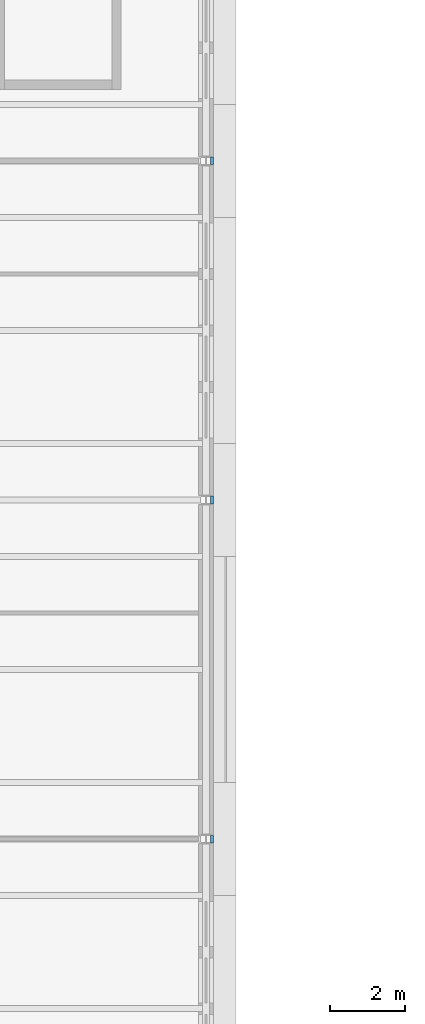
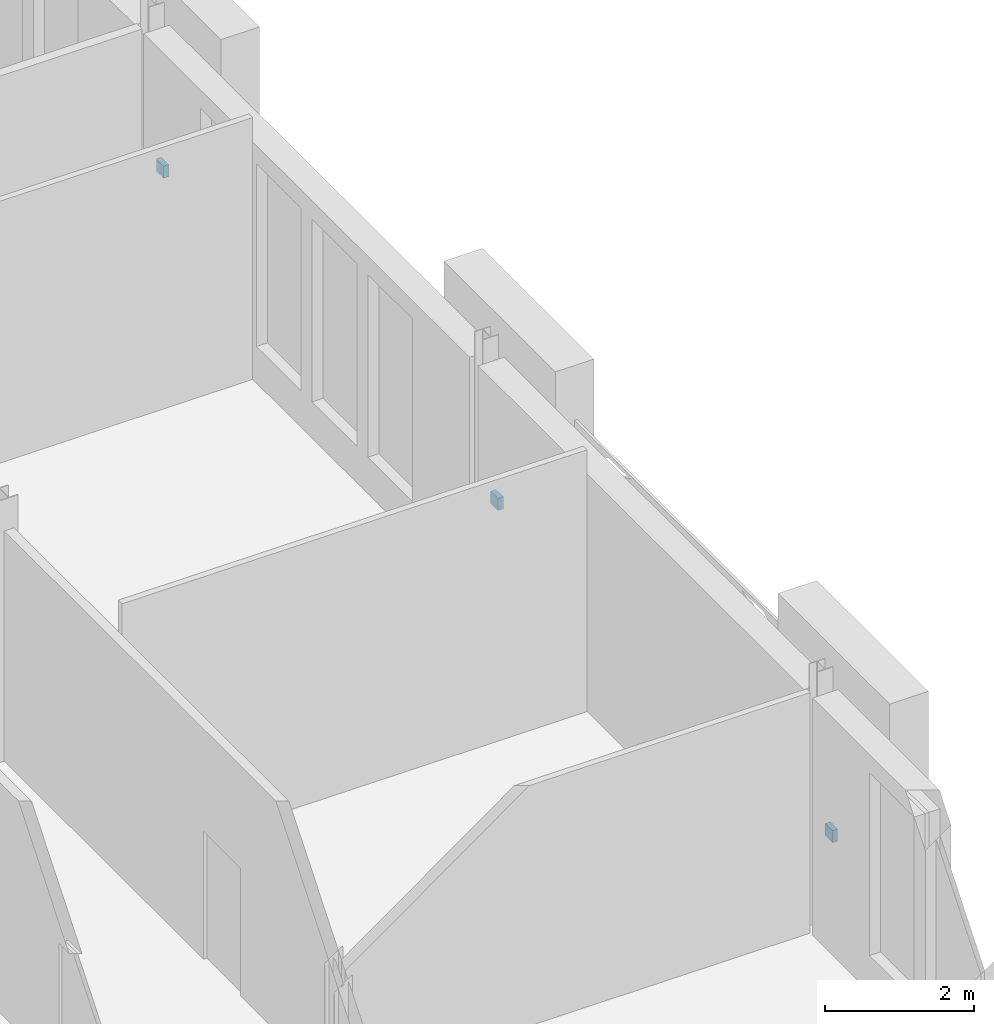
# One storey, part 103 of 131: 3 discrete accessories.
"""IFC4 building model written with IfcOpenShell, lengths in metres."""

from ifc_helpers import new_model, si_unit, direction, frame, origin, origin_2d, place, context, subcontext, project, spatial, rectangle, extrude, material, type_object, element, save


model = new_model("IFC4")

# Units and contexts
model_context = context("Model", 3, precision=1e-05, world=origin(), true_north=direction((0.0, 1.0)))
body_context = subcontext(model_context, "Body", "Model", "MODEL_VIEW")
ifc_project = project(units=[si_unit("LENGTHUNIT", "METRE"), si_unit("AREAUNIT", "SQUARE_METRE"), si_unit("VOLUMEUNIT", "CUBIC_METRE"), si_unit("PLANEANGLEUNIT", "RADIAN"), si_unit("MASSUNIT", "GRAM", prefix="KILO")], contexts=[model_context])

# Site, building, storey
site_placement = place(None, origin())
site = spatial("IfcSite", under=ifc_project, at=site_placement, CompositionType="ELEMENT")
building_placement = place(site_placement, origin())
building = spatial("IfcBuilding", under=site, at=building_placement, Name="Golden Quay Civic Hall", CompositionType="ELEMENT")
storey_placement = place(building_placement, frame((0.0, 0.0, 9.89990234375)))
storey = spatial("IfcBuildingStorey", under=building, at=storey_placement, Name="L02", CompositionType="ELEMENT", Elevation=9.89990234375)

# Discrete accessories
ifc_material = material(Name="Steel S355", Category="steel")
discrete_accessory_type = type_object("IfcDiscreteAccessoryType", Name="Pier fixing bracket 200 x 200", PredefinedType="BRACKET", material=ifc_material)
for number, where, z_axis, x_axis, name in (
    (1, (117.159912109375, 27.0, 1.39990234375), (0.0, 0.0, 1.0), (0.0, 1.0, 0.0), "Pier fixing bracket 200 x 200 L02 19"),
    (2, (117.159912109375, 36.0, 1.39990234375), (0.0, 0.0, 1.0), (0.0, 1.0, 0.0), "Pier fixing bracket 200 x 200 L02 20"),
    (3, (117.159912109375, 45.0, 1.39990234375), (0.0, 0.0, 1.0), (0.0, 1.0, 0.0), "Pier fixing bracket 200 x 200 L02 21"),
):
    element("IfcDiscreteAccessory", number, at=place(storey_placement, frame(where, z_axis=z_axis, x_axis=x_axis)), inside=storey, type_object=discrete_accessory_type, Name=name, PredefinedType="BRACKET", context=body_context, shape_type="SweptSolid", body=[
        extrude(rectangle(XDim=0.199951171875, YDim=0.080078125, at=origin_2d()), origin(), (0.0, 0.0, 1.0), 0.199951171875),
    ])

save(model, "model.ifc")
